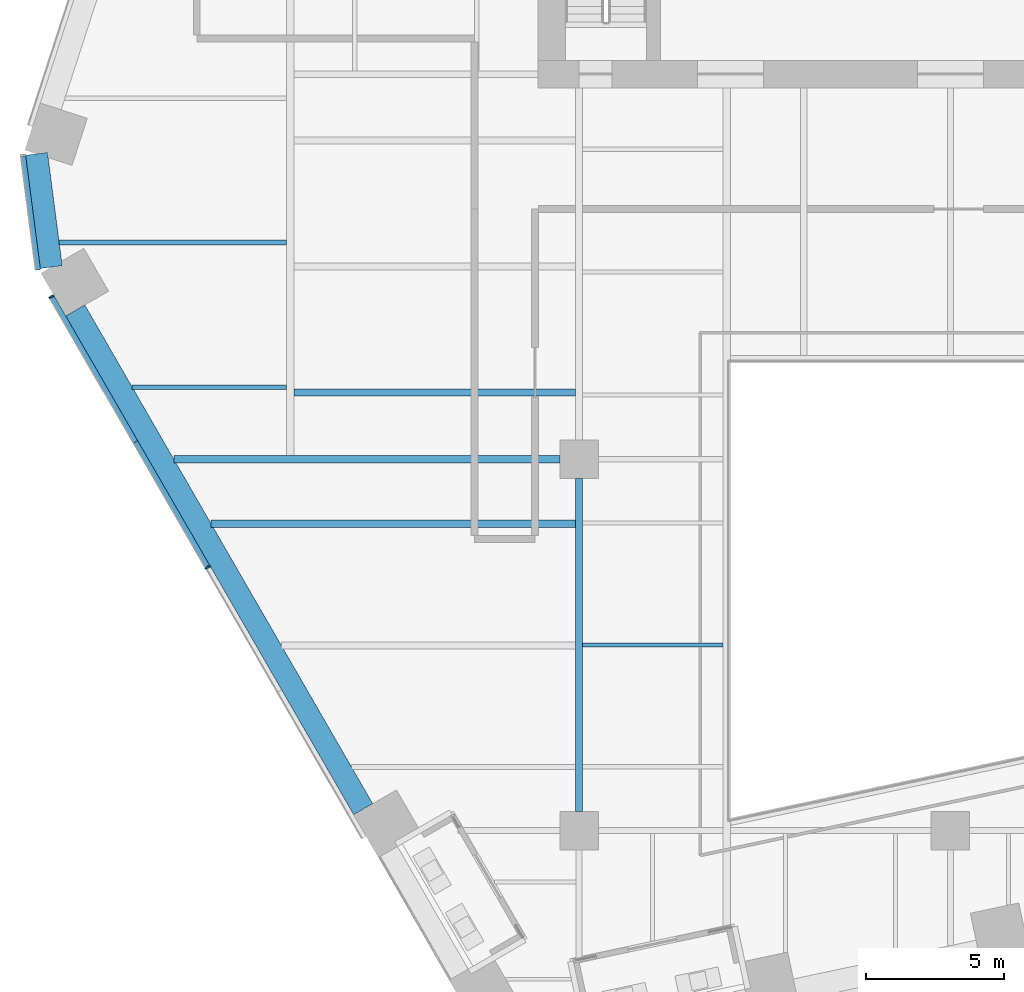
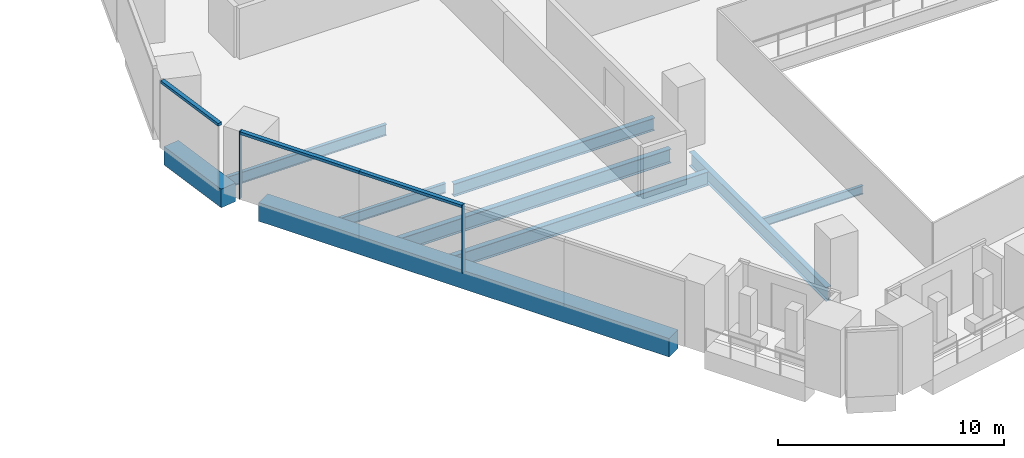
# One storey, part 3 of 28: 9 beams, 5 members, 2 elements without a shape of their own.
"""IFC4 building model written with IfcOpenShell, lengths in metres."""

from ifc_helpers import new_model, si_unit, direction, frame, origin, origin_2d, place, context, subcontext, project, spatial, rectangle, i_section, extrude, material, layer, layer_set, material_profile, profile_set, type_object, element, aggregate, save


model = new_model("IFC4")

# Units and contexts
model_context = context("Model", 3, precision=1e-05, world=origin(), true_north=direction((0.0, 1.0)))
body_context = subcontext(model_context, "Body", "Model", "MODEL_VIEW")
ifc_project = project(units=[si_unit("LENGTHUNIT", "METRE"), si_unit("AREAUNIT", "SQUARE_METRE"), si_unit("VOLUMEUNIT", "CUBIC_METRE"), si_unit("PLANEANGLEUNIT", "RADIAN"), si_unit("MASSUNIT", "GRAM", prefix="KILO")], contexts=[model_context])

# Site, building, storey
site_placement = place(None, origin())
site = spatial("IfcSite", under=ifc_project, at=site_placement, CompositionType="ELEMENT")
building_placement = place(site_placement, origin())
building = spatial("IfcBuilding", under=site, at=building_placement, Name="Isthmus Gate Tower", CompositionType="ELEMENT")
storey_placement = place(building_placement, frame((0.0, 0.0, 68.85009765625)))
storey = spatial("IfcBuildingStorey", under=building, at=storey_placement, Name="L15", CompositionType="ELEMENT", Elevation=68.85009765625)

# Curtain wall, members
ifc_material_1 = material(Name="Aluminium, pale champagne anodised", Category="aluminium")
ifc_layer = layer(ifc_material_1, 0.199951171875)
ifc_layer_set = layer_set([ifc_layer], Name="CW-1 UNITISED CURTAIN WALL 200 DEEP")
curtain_wall_type = type_object("IfcCurtainWallType", Name="CW-1 UNITISED CURTAIN WALL 200 DEEP", PredefinedType="NOTDEFINED", material=ifc_layer_set)
curtain_wall_1_placement = place(storey_placement, origin())
curtain_wall_1 = element("IfcCurtainWall", 1, at=curtain_wall_1_placement, inside=storey, type_object=curtain_wall_type, Name="CW-1 SW L15", PredefinedType="NOTDEFINED")
ifc_material_2 = material(Name="Aluminium, pale champagne anodised", Category="aluminium")
ifc_material_profile_1 = material_profile(ifc_material_2, rectangle(XDim=0.06005859375, YDim=0.199951171875, at=origin_2d()), Name="60x200")
ifc_profile_set_1 = profile_set([ifc_material_profile_1], Name="Aluminium, pale champagne anodised")
member_type_1 = type_object("IfcMemberType", Name="CW-1 MULLION 60 X 200", PredefinedType="MULLION", material=ifc_profile_set_1)
member_1_placement = place(storey_placement, frame((-32.685302734375, -7.58740234375, 0.0), z_axis=(0.0, 0.0, 1.0), x_axis=(0.5, -0.866025403784, 0.0)))
member_1 = element("IfcMember", 2, at=member_1_placement, type_object=member_type_1, Name="CW-1 mullion", PredefinedType="MULLION", context=body_context, shape_type="SweptSolid", body=[
    extrude(rectangle(XDim=0.06005859375, YDim=0.199951171875, at=origin_2d()), origin(), (0.0, 0.0, 1.0), 3.64990234375),
])
member_2_placement = place(storey_placement, frame((-27.001708984375, -17.431640625, 0.0), z_axis=(0.0, 0.0, 1.0), x_axis=(0.5, -0.866025403784, 0.0)))
member_2 = element("IfcMember", 3, at=member_2_placement, type_object=member_type_1, Name="CW-1 mullion", PredefinedType="MULLION", context=body_context, shape_type="SweptSolid", body=[
    extrude(rectangle(XDim=0.06005859375, YDim=0.199951171875, at=origin_2d()), origin(), (0.0, 0.0, 1.0), 3.64990234375),
])

# Curtain wall, member
curtain_wall_2_placement = place(storey_placement, origin())
curtain_wall_2 = element("IfcCurtainWall", 4, at=curtain_wall_2_placement, inside=storey, type_object=curtain_wall_type, Name="CW-1 NW-SW L15", PredefinedType="NOTDEFINED")
ifc_material_3 = material(Name="Aluminium, pale champagne anodised", Category="aluminium")
ifc_material_profile_2 = material_profile(ifc_material_3, rectangle(XDim=0.199951171875, YDim=0.14990234375, at=origin_2d()), Name="200x150")
ifc_profile_set_2 = profile_set([ifc_material_profile_2], Name="Aluminium, pale champagne anodised")
member_type_2 = type_object("IfcMemberType", Name="CW-1 TRANSOM 200 X 150", PredefinedType="USERDEFINED", material=ifc_profile_set_2)
member_3_placement = place(storey_placement, frame((-33.71923828125, -2.474609375, 3.574951171875), z_axis=(0.129206893318, -0.991617657527, 0.0), x_axis=(0.991617657527, 0.129206893318, 0.0)))
member_3 = element("IfcMember", 5, at=member_3_placement, type_object=member_type_2, Name="CW-1 transom", ObjectType="TRANSOM", PredefinedType="USERDEFINED", context=body_context, shape_type="SweptSolid", body=[
    extrude(rectangle(XDim=0.199951171875, YDim=0.14990234375, at=origin_2d()), origin(), (0.0, 0.0, 1.0), 4.181640625),
])
aggregate(curtain_wall_2, [member_3])

# Member
member_4_placement = place(storey_placement, frame((-32.67041015625, -7.61328125, 3.574951171875), z_axis=(0.49999965181, -0.866025604812, 0.0), x_axis=(0.866025604812, 0.49999965181, 0.0)))
member_4 = element("IfcMember", 6, at=member_4_placement, type_object=member_type_2, Name="CW-1 transom", ObjectType="TRANSOM", PredefinedType="USERDEFINED", context=body_context, shape_type="SweptSolid", body=[
    extrude(rectangle(XDim=0.199951171875, YDim=0.14990234375, at=origin_2d()), origin(), (0.0, 0.0, 1.0), 6.07373046875),
])

member_5_placement = place(storey_placement, frame((-29.633544921875, -12.873291015625, 3.574951171875), z_axis=(0.500017221754, -0.866015460572, 0.0), x_axis=(0.866015460572, 0.500017221754, 0.0)))
member_5 = element("IfcMember", 7, at=member_5_placement, type_object=member_type_2, Name="CW-1 transom", ObjectType="TRANSOM", PredefinedType="USERDEFINED", context=body_context, shape_type="SweptSolid", body=[
    extrude(rectangle(XDim=0.199951171875, YDim=0.14990234375, at=origin_2d()), origin(), (0.0, 0.0, 1.0), 5.233642578125),
])

aggregate(curtain_wall_1, [member_1, member_4, member_5, member_2])

# Beams
ifc_material_4 = material(Name="Concrete f'c 70 MPa", Category="concrete")
ifc_material_profile_3 = material_profile(ifc_material_4, rectangle(XDim=0.800048828125, YDim=1.0, at=origin_2d()), Name="RC 800X1000")
ifc_profile_set_3 = profile_set([ifc_material_profile_3], Name="Concrete f'c 70 MPa")
beam_type_1 = type_object("IfcBeamType", Name="RC SPANDREL 800 X 1000", PredefinedType="SPANDREL", material=ifc_profile_set_3)
beam_1_placement = place(storey_placement, frame((-21.35009765625, -26.220458984375, -0.5), z_axis=(-0.500004778811, 0.866022644719, 0.0), x_axis=(-0.866022644719, -0.500004778811, 0.0)))
element("IfcBeam", 8, at=beam_1_placement, inside=storey, type_object=beam_type_1, Name="str-spandrel-L15-16", PredefinedType="SPANDREL", context=body_context, shape_type="SweptSolid", body=[
    extrude(rectangle(XDim=0.800048828125, YDim=1.0, at=origin_2d()), origin(), (0.0, 0.0, 1.0), 20.934326171875),
])
beam_2_placement = place(storey_placement, frame((-32.6884765625, -6.515380859375, -0.5), z_axis=(-0.129170777359, 0.991622362735, 0.0), x_axis=(-0.991622362735, -0.129170777359, 0.0)))
element("IfcBeam", 9, at=beam_2_placement, inside=storey, type_object=beam_type_1, Name="str-spandrel-L15-17", PredefinedType="SPANDREL", context=body_context, shape_type="SweptSolid", body=[
    extrude(rectangle(XDim=0.800048828125, YDim=1.0, at=origin_2d()), origin(), (0.0, 0.0, 1.0), 4.15234375),
])
ifc_material_5 = material(Name="Structural steel ASTM A992 Gr 50", Category="steel")
ifc_material_profile_4 = material_profile(ifc_material_5, i_section(OverallWidth=0.15234375, OverallDepth=0.45068359375, WebThickness=0.0078125, FlangeThickness=0.010986328125, at=origin_2d()), Name="W18X35")
ifc_profile_set_4 = profile_set([ifc_material_profile_4], Name="Structural steel ASTM A992 Gr 50")
beam_type_2 = type_object("IfcBeamType", Name="STEEL FLOOR BEAM W18X35", PredefinedType="JOIST", material=ifc_profile_set_4)
beam_3_placement = place(storey_placement, frame((-13.3681640625, -20.25, -0.37548828125), z_axis=(1.0, 0.0, 0.0), x_axis=(0.0, 1.0, 0.0)))
element("IfcBeam", 10, at=beam_3_placement, inside=storey, type_object=beam_type_2, Name="str-beam-L15-14-01", PredefinedType="JOIST", context=body_context, shape_type="SweptSolid", body=[
    extrude(i_section(OverallWidth=0.15234375, OverallDepth=0.45068359375, WebThickness=0.0078125, FlangeThickness=0.010986328125, at=origin_2d()), origin(), (0.0, 0.0, 1.0), 5.1015625),
])
ifc_material_6 = material(Name="Structural steel ASTM A992 Gr 50", Category="steel")
ifc_material_profile_5 = material_profile(ifc_material_6, i_section(OverallWidth=0.1650390625, OverallDepth=0.52392578125, WebThickness=0.009521484375, FlangeThickness=0.010986328125, at=origin_2d()), Name="W21X44")
ifc_profile_set_5 = profile_set([ifc_material_profile_5], Name="Structural steel ASTM A992 Gr 50")
beam_type_3 = type_object("IfcBeamType", Name="STEEL FLOOR BEAM W21X44", PredefinedType="JOIST", material=ifc_profile_set_5)
beam_4_placement = place(storey_placement, frame((-29.748046875, -10.875, -0.412109375), z_axis=(1.0, 0.0, 0.0), x_axis=(0.0, 1.0, 0.0)))
element("IfcBeam", 11, at=beam_4_placement, inside=storey, type_object=beam_type_3, Name="str-beam-L15-00-00", PredefinedType="JOIST", context=body_context, shape_type="SweptSolid", body=[
    extrude(i_section(OverallWidth=0.1650390625, OverallDepth=0.52392578125, WebThickness=0.009521484375, FlangeThickness=0.010986328125, at=origin_2d()), origin(), (0.0, 0.0, 1.0), 5.61474609375),
])
ifc_material_7 = material(Name="Structural steel ASTM A992 Gr 50", Category="steel")
ifc_material_profile_6 = material_profile(ifc_material_7, i_section(OverallWidth=0.177734375, OverallDepth=0.60009765625, WebThickness=0.009521484375, FlangeThickness=0.0126953125, at=origin_2d()), Name="W24X55")
ifc_profile_set_6 = profile_set([ifc_material_profile_6], Name="Structural steel ASTM A992 Gr 50")
beam_type_4 = type_object("IfcBeamType", Name="STEEL FLOOR BEAM W24X55", PredefinedType="JOIST", material=ifc_profile_set_6)
beam_5_placement = place(storey_placement, frame((-32.401123046875, -5.625, -0.4501953125), z_axis=(1.0, 0.0, 0.0), x_axis=(0.0, 1.0, 0.0)))
element("IfcBeam", 12, at=beam_5_placement, inside=storey, type_object=beam_type_4, Name="str-beam-L15-00-01", PredefinedType="JOIST", context=body_context, shape_type="SweptSolid", body=[
    extrude(i_section(OverallWidth=0.177734375, OverallDepth=0.60009765625, WebThickness=0.009521484375, FlangeThickness=0.0126953125, at=origin_2d()), origin(), (0.0, 0.0, 1.0), 8.267822265625),
])
ifc_material_8 = material(Name="Structural steel ASTM A992 Gr 50", Category="steel")
ifc_material_profile_7 = material_profile(ifc_material_8, i_section(OverallWidth=0.25390625, OverallDepth=0.679443359375, WebThickness=0.010986328125, FlangeThickness=0.015869140625, at=origin_2d()), Name="W27X84")
ifc_profile_set_7 = profile_set([ifc_material_profile_7], Name="Structural steel ASTM A992 Gr 50")
beam_type_5 = type_object("IfcBeamType", Name="STEEL FLOOR BEAM W27X84", PredefinedType="JOIST", material=ifc_profile_set_7)
beam_6_placement = place(storey_placement, frame((-23.86669921875, -11.07470703125, -0.48974609375), z_axis=(1.0, 0.0, 0.0), x_axis=(0.0, 1.0, 0.0)))
element("IfcBeam", 13, at=beam_6_placement, inside=storey, type_object=beam_type_5, Name="str-beam-L15-07-00", PredefinedType="JOIST", context=body_context, shape_type="SweptSolid", body=[
    extrude(i_section(OverallWidth=0.25390625, OverallDepth=0.679443359375, WebThickness=0.010986328125, FlangeThickness=0.015869140625, at=origin_2d()), origin(), (0.0, 0.0, 1.0), 10.23486328125),
])
ifc_material_9 = material(Name="Structural steel ASTM A992 Gr 50", Category="steel")
ifc_material_profile_8 = material_profile(ifc_material_9, i_section(OverallWidth=0.263427734375, OverallDepth=0.749267578125, WebThickness=0.0126953125, FlangeThickness=0.015869140625, at=origin_2d()), Name="W30X90")
ifc_profile_set_8 = profile_set([ifc_material_profile_8], Name="Structural steel ASTM A992 Gr 50")
beam_type_6 = type_object("IfcBeamType", Name="STEEL FLOOR BEAM W30X90", PredefinedType="JOIST", material=ifc_profile_set_8)
beam_7_placement = place(storey_placement, frame((-26.879150390625, -15.84423828125, -0.524658203125), z_axis=(1.0, 0.0, 0.0), x_axis=(0.0, 1.0, 0.0)))
element("IfcBeam", 14, at=beam_7_placement, inside=storey, type_object=beam_type_6, Name="str-beam-L15-05-02", PredefinedType="JOIST", context=body_context, shape_type="SweptSolid", body=[
    extrude(i_section(OverallWidth=0.263427734375, OverallDepth=0.749267578125, WebThickness=0.0126953125, FlangeThickness=0.015869140625, at=origin_2d()), origin(), (0.0, 0.0, 1.0), 13.247314453125),
])
ifc_material_10 = material(Name="Structural steel ASTM A992 Gr 50", Category="steel")
ifc_material_profile_9 = material_profile(ifc_material_10, i_section(OverallWidth=0.2666015625, OverallDepth=0.7587890625, WebThickness=0.014404296875, FlangeThickness=0.01904296875, at=origin_2d()), Name="W30X108")
ifc_profile_set_9 = profile_set([ifc_material_profile_9], Name="Structural steel ASTM A992 Gr 50")
beam_type_7 = type_object("IfcBeamType", Name="STEEL GIRDER W30X108", PredefinedType="BEAM", material=ifc_profile_set_9)
beam_8_placement = place(storey_placement, frame((-28.232421875, -13.5, -0.529541015625), z_axis=(1.0, 0.0, 0.0), x_axis=(0.0, 1.0, 0.0)))
element("IfcBeam", 15, at=beam_8_placement, inside=storey, type_object=beam_type_7, Name="str-girder-L15-05", PredefinedType="BEAM", context=body_context, shape_type="SweptSolid", body=[
    extrude(i_section(OverallWidth=0.2666015625, OverallDepth=0.7587890625, WebThickness=0.014404296875, FlangeThickness=0.01904296875, at=origin_2d()), origin(), (0.0, 0.0, 1.0), 14.032470703125),
])
ifc_material_11 = material(Name="Structural steel ASTM A992 Gr 50", Category="steel")
ifc_material_profile_10 = material_profile(ifc_material_11, i_section(OverallWidth=0.263427734375, OverallDepth=0.749267578125, WebThickness=0.0126953125, FlangeThickness=0.015869140625, at=origin_2d()), Name="W30X90")
ifc_profile_set_10 = profile_set([ifc_material_profile_10], Name="Structural steel ASTM A992 Gr 50")
beam_type_8 = type_object("IfcBeamType", Name="STEEL GIRDER W30X90", PredefinedType="BEAM", material=ifc_profile_set_10)
beam_9_placement = place(storey_placement, frame((-13.5, -26.300048828125, -0.524658203125), z_axis=(0.0, 1.0, 0.0), x_axis=(-1.0, 0.0, 0.0)))
element("IfcBeam", 16, at=beam_9_placement, inside=storey, type_object=beam_type_8, Name="str-girder-L15-24", PredefinedType="BEAM", context=body_context, shape_type="SweptSolid", body=[
    extrude(i_section(OverallWidth=0.263427734375, OverallDepth=0.749267578125, WebThickness=0.0126953125, FlangeThickness=0.015869140625, at=origin_2d()), origin(), (0.0, 0.0, 1.0), 12.10009765625),
])

save(model, "model.ifc")
